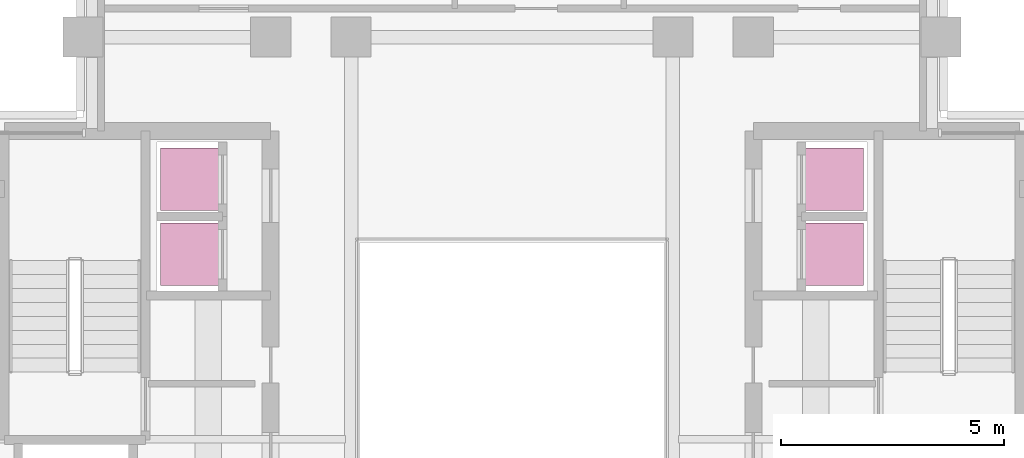
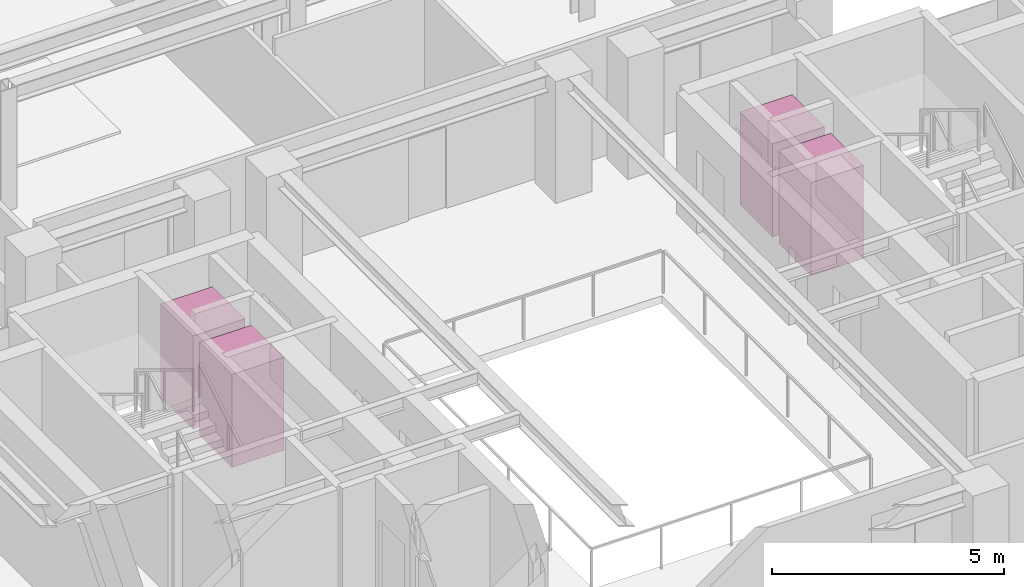
# One storey, part 12 of 12: 4 transport elements.
"""IFC4 building model written with IfcOpenShell, lengths in metres."""

from ifc_helpers import new_model, si_unit, direction, frame, origin, origin_2d, place, context, subcontext, project, spatial, rectangle, extrude, source, transform, mapped, material, type_object, element, save


model = new_model("IFC4")

# Units and contexts
model_context = context("Model", 3, precision=1e-05, world=origin(), true_north=direction((0.0, 1.0)))
body_context = subcontext(model_context, "Body", "Model", "MODEL_VIEW")
ifc_project = project(units=[si_unit("LENGTHUNIT", "METRE"), si_unit("AREAUNIT", "SQUARE_METRE"), si_unit("VOLUMEUNIT", "CUBIC_METRE"), si_unit("PLANEANGLEUNIT", "RADIAN"), si_unit("MASSUNIT", "GRAM", prefix="KILO")], contexts=[model_context])

# Site, building, storey
site_placement = place(None, origin())
site = spatial("IfcSite", under=ifc_project, at=site_placement, CompositionType="ELEMENT")
building_placement = place(site_placement, origin())
building = spatial("IfcBuilding", under=site, at=building_placement, Name="Keilestroom Media Tower", CompositionType="ELEMENT")
storey_placement = place(building_placement, frame((0.0, 0.0, 177.39990234375)))
storey = spatial("IfcBuildingStorey", under=building, at=storey_placement, Name="L48", CompositionType="ELEMENT", Elevation=177.39990234375)

# Transport elements
ifc_material = material(Name="Stainless Steel Lift Cabin", Category="steel")
transport_element_type = type_object("IfcTransportElementType", Name="Passenger-Lift-Car-PAX-1650", PredefinedType="ELEVATOR", material=ifc_material)
shared_shape = source(origin(), body_context, "Body", "SweptSolid", [
    extrude(rectangle(XDim=1.300048828125, YDim=1.39990234375, at=origin_2d()), origin(), (0.0, 0.0, 1.0), 2.449951171875),
])
for number, where, z_axis, x_axis, name in (
    (1, (-7.215087890625, 4.139892578125, 0.0), (0.0, 0.0, 1.0), (1.0, 0.0, 0.0), "Passenger Lift PL-H1"),
    (2, (-7.215087890625, 5.81494140625, 0.0), (0.0, 0.0, 1.0), (1.0, 0.0, 0.0), "Passenger Lift PL-H2"),
    (3, (7.215087890625, 4.139892578125, 0.0), (0.0, 0.0, 1.0), (1.0, 0.0, 0.0), "Passenger Lift PL-H3"),
    (4, (7.215087890625, 5.81494140625, 0.0), (0.0, 0.0, 1.0), (1.0, 0.0, 0.0), "Passenger Lift PL-H4"),
):
    element("IfcTransportElement", number, at=place(storey_placement, frame(where, z_axis=z_axis, x_axis=x_axis)), inside=storey, type_object=transport_element_type, Name=name, PredefinedType="ELEVATOR", context=body_context, shape_type="MappedRepresentation", body=[
        mapped(shared_shape, transform((0.0, 0.0, 0.0), x_axis=(1.0, 0.0, 0.0), y_axis=(0.0, 1.0, 0.0), z_axis=(0.0, 0.0, 1.0), scale=1.0)),
    ])

save(model, "model.ifc")
